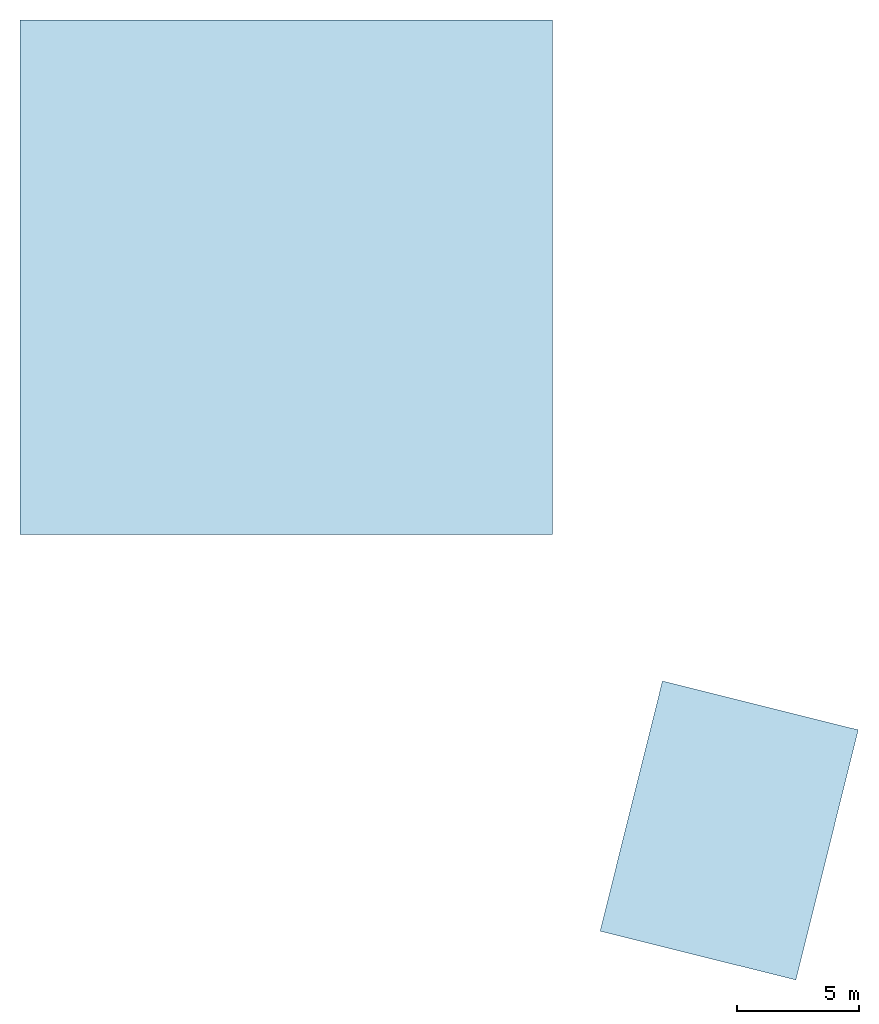
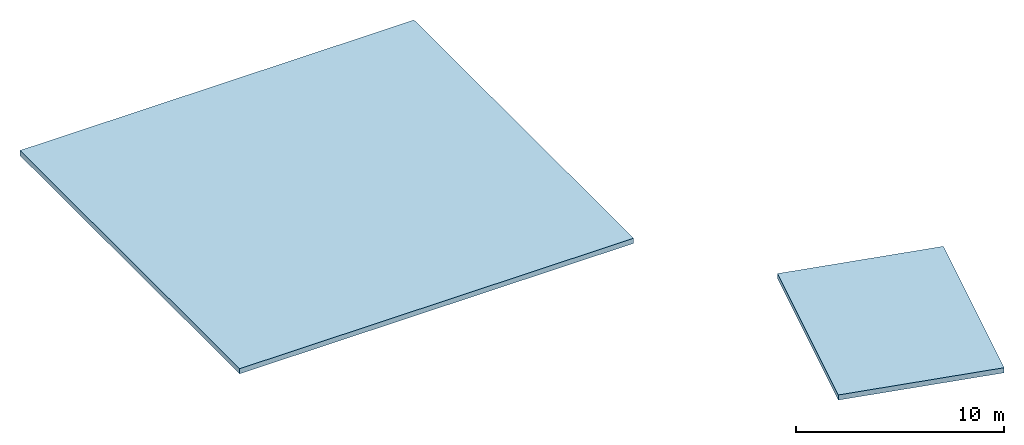
# One storey: 2 slabs.
"""IFC4 building model written with IfcOpenShell, lengths in metres."""

import ifcopenshell
import ifcopenshell.guid

model = None  # the IFC model being written
_history = None  # IfcOwnerHistory: only IFC2X3 demands one
_inside = {}  # id of a spatial element -> (the spatial element, [elements in it])
_under = {}  # id of a project, library or spatial element -> (it, [spatial elements below it])
_declared = {}  # id of a project -> (the project, [libraries it declares])
_typed = {}  # id of a type object -> (the type object, [elements of that type])
_made_of = {}  # id of a material, layer set ... -> (it, [elements and type objects made of it])


def new_model(schema):
    """Start an empty IFC model of exactly this schema.

    Asked for "IFC4X3", IfcOpenShell would pick the latest addendum, in which some entities
    have other attributes; the version numbers below select the first issue.
    IFC2X3 requires an IfcOwnerHistory on every rooted entity: one is made here for all.
    """
    global model, _history
    if schema == "IFC4X3":
        model = ifcopenshell.file(schema_version=(4, 3, 0, 0))
    else:
        model = ifcopenshell.file(schema=schema)
    _inside.clear()
    _under.clear()
    _declared.clear()
    _typed.clear()
    _made_of.clear()
    _history = None
    if model.schema == "IFC2X3":
        org = make("IfcOrganization", Name="unknown")
        user = make(
            "IfcPersonAndOrganization",
            ThePerson=make("IfcPerson", FamilyName="unknown"),
            TheOrganization=org,
        )
        app = make(
            "IfcApplication",
            ApplicationDeveloper=org,
            Version="unknown",
            ApplicationFullName="unknown",
            ApplicationIdentifier="unknown",
        )
        _history = make(
            "IfcOwnerHistory",
            OwningUser=user,
            OwningApplication=app,
            ChangeAction="ADDED",
            CreationDate=0,
        )
    return model


def make(cls, **values):
    """One entity of the class cls with the attributes given. An attribute that is None is left unset."""
    return model.create_entity(
        cls, **{name: value for name, value in values.items() if value is not None}
    )


def rooted(cls, **values):
    """An entity with a GlobalId (a new one), such as an element, a storey or a relation."""
    return make(cls, GlobalId=ifcopenshell.guid.new(), OwnerHistory=_history, **values)


def si_unit(unit_type, name, prefix=None):
    """IfcSIUnit, for example si_unit("LENGTHUNIT", "METRE", prefix="MILLI")."""
    return make("IfcSIUnit", UnitType=unit_type, Prefix=prefix, Name=name)


def assignment(units):
    """IfcUnitAssignment: the units of a project."""
    return None if units is None else make("IfcUnitAssignment", Units=units)


def point(xyz):
    """IfcCartesianPoint."""
    return None if xyz is None else make("IfcCartesianPoint", Coordinates=xyz)


def direction(xyz):
    """IfcDirection."""
    return None if xyz is None else make("IfcDirection", DirectionRatios=xyz)


def frame(location, z_axis=None, x_axis=None):
    """IfcAxis2Placement3D, a coordinate frame: its origin and axes. An axis left out is left unset."""
    return make(
        "IfcAxis2Placement3D",
        Location=point(location),
        Axis=direction(z_axis),
        RefDirection=direction(x_axis),
    )


def origin():
    """The frame at (0, 0, 0) with its axes left unset."""
    return frame((0.0, 0.0, 0.0))


def place(relative_to, where):
    """IfcLocalPlacement: puts the frame where relative to a parent placement (None: the world)."""
    return make(
        "IfcLocalPlacement", PlacementRelTo=relative_to, RelativePlacement=where
    )


def context(
    kind, dimensions, precision=None, world=None, true_north=None, identifier=None
):
    """IfcGeometricRepresentationContext, for example the 3D "Model" context."""
    return make(
        "IfcGeometricRepresentationContext",
        ContextIdentifier=identifier,
        ContextType=kind,
        CoordinateSpaceDimension=dimensions,
        Precision=precision,
        WorldCoordinateSystem=world,
        TrueNorth=true_north,
    )


def subcontext(parent, identifier, kind, view, scale=None):
    """IfcGeometricRepresentationSubContext, for example "Body" below "Model"."""
    return make(
        "IfcGeometricRepresentationSubContext",
        ContextIdentifier=identifier,
        ContextType=kind,
        ParentContext=parent,
        TargetScale=scale,
        TargetView=view,
    )


def project(units=None, contexts=None):
    """IfcProject with its units and contexts."""
    return rooted(
        "IfcProject",
        Name="project",
        RepresentationContexts=contexts,
        UnitsInContext=assignment(units),
    )


def spatial(cls, under=None, at=None, **own):
    """A site, building, storey or space (cls), placed at a placement, below another one or the project."""
    s = rooted(cls, ObjectPlacement=at, **own)
    if under is not None:
        _under.setdefault(under.id(), (under, []))[1].append(s)
    return s


def polyline(points):
    """IfcPolyline through the points."""
    return make("IfcPolyline", Points=[point(p) for p in points])


def outline(outer, holes=None, kind="AREA"):
    """IfcArbitraryClosedProfileDef: a profile drawn as a closed curve; with holes, ...WithVoids."""
    if holes is None:
        return make("IfcArbitraryClosedProfileDef", ProfileType=kind, OuterCurve=outer)
    return make(
        "IfcArbitraryProfileDefWithVoids",
        ProfileType=kind,
        OuterCurve=outer,
        InnerCurves=holes,
    )


def extrude(swept, where, along, depth):
    """IfcExtrudedAreaSolid: the profile swept, set in the frame where, extruded along a direction by depth."""
    return make(
        "IfcExtrudedAreaSolid",
        SweptArea=swept,
        Position=where,
        ExtrudedDirection=direction(along),
        Depth=depth,
    )


def shape(context_of_items, identifier, shape_type, items):
    """IfcShapeRepresentation: the items that make up one representation, for example the "Body"."""
    return make(
        "IfcShapeRepresentation",
        ContextOfItems=context_of_items,
        RepresentationIdentifier=identifier,
        RepresentationType=shape_type,
        Items=items,
    )


def material(Name=None, Category=None):
    """IfcMaterial."""
    return make("IfcMaterial", Name=Name, Category=Category)


def layer(
    of_material, thickness, ventilated=None, Name=None, Category=None, Priority=None
):
    """IfcMaterialLayer: one layer of a wall or slab, of a material (None: an air gap)."""
    return make(
        "IfcMaterialLayer",
        Material=of_material,
        LayerThickness=thickness,
        IsVentilated=ventilated,
        Name=Name,
        Category=Category,
        Priority=Priority,
    )


def layer_set(layers, Name=None):
    """IfcMaterialLayerSet."""
    return make("IfcMaterialLayerSet", MaterialLayers=layers, LayerSetName=Name)


def made_of(thing, what):
    """Note that an element or type object is made of a material, layer set ...; save() writes the relation."""
    if what is not None:
        _made_of.setdefault(what.id(), (what, []))[1].append(thing)
    return thing


def type_object(cls, material=None, **own):
    """A type object (cls), such as IfcWallType, which elements share."""
    return made_of(rooted(cls, **own), material)


def element(
    cls,
    number,
    at=None,
    inside=None,
    cuts=None,
    type_object=None,
    material=None,
    context=None,
    identifier="Body",
    shape_type=None,
    held_by="IfcProductDefinitionShape",
    body=None,
    shapes=None,
    **own,
):
    """One element of the class cls, such as IfcWall. Its Tag is "e" and its number.

    at: its placement. inside: the storey or other place that contains it. cuts: it is an
    opening in that element (IfcRelVoidsElement). A single representation is given by context,
    identifier, shape_type and body (its items); several are given by shapes. held_by: the class
    of the entity that holds the representations. save() writes the other relations.
    """
    e = rooted(cls, Tag="e%d" % number, ObjectPlacement=at, **own)
    if body is not None:
        shapes = [shape(context, identifier, shape_type, body)]
    if shapes is not None:
        e.Representation = make(held_by, Representations=shapes)
    if inside is not None:
        _inside.setdefault(inside.id(), (inside, []))[1].append(e)
    if cuts is not None:
        rooted(
            "IfcRelVoidsElement", RelatingBuildingElement=cuts, RelatedOpeningElement=e
        )
    if type_object is not None:
        _typed.setdefault(type_object.id(), (type_object, []))[1].append(e)
    return made_of(e, material)


def aggregate(whole, parts):
    """IfcRelAggregates: a whole, such as a stair, and the parts it consists of."""
    return rooted("IfcRelAggregates", RelatingObject=whole, RelatedObjects=parts)


def save(model, path):
    """Write the relations noted so far, then the file.

    IfcRelAggregates (storeys below a building ...), IfcRelContainedInSpatialStructure (elements
    in a storey), IfcRelDefinesByType, IfcRelAssociatesMaterial and IfcRelDeclares: one each for
    every whole, place, type object, material and project.
    """
    for whole, parts in _under.values():
        aggregate(whole, parts)
    for where, things in _inside.values():
        rooted(
            "IfcRelContainedInSpatialStructure",
            RelatedElements=things,
            RelatingStructure=where,
        )
    for kind, things in _typed.values():
        rooted("IfcRelDefinesByType", RelatedObjects=things, RelatingType=kind)
    for what, things in _made_of.values():
        rooted("IfcRelAssociatesMaterial", RelatedObjects=things, RelatingMaterial=what)
    for by, libraries in _declared.values():
        rooted("IfcRelDeclares", RelatingContext=by, RelatedDefinitions=libraries)
    model.write(path)


model = new_model("IFC4")

# Units and contexts
model_context = context("Model", 3, precision=1e-05, world=origin(), true_north=direction((0.0, 1.0)))
body_context = subcontext(model_context, "Body", "Model", "MODEL_VIEW")
ifc_project = project(units=[si_unit("LENGTHUNIT", "METRE"), si_unit("AREAUNIT", "SQUARE_METRE"), si_unit("VOLUMEUNIT", "CUBIC_METRE"), si_unit("PLANEANGLEUNIT", "RADIAN"), si_unit("MASSUNIT", "GRAM", prefix="KILO")], contexts=[model_context])

# Site, building, storey
site_placement = place(None, origin())
site = spatial("IfcSite", under=ifc_project, at=site_placement, CompositionType="ELEMENT")
building_placement = place(site_placement, origin())
building = spatial("IfcBuilding", under=site, at=building_placement, Name="Meshkara Civic Tower", CompositionType="ELEMENT")
storey_placement = place(building_placement, frame((0.0, 0.0, 433.5)))
storey = spatial("IfcBuildingStorey", under=building, at=storey_placement, Name="Upper roof", CompositionType="ELEMENT", Elevation=433.5)

# Slabs
ifc_material = material(Name="Concrete C40/50", Category="concrete")
ifc_layer = layer(ifc_material, 0.300048828125)
ifc_layer_set = layer_set([ifc_layer], Name="Core roof slab 300 C40/50")
slab_type = type_object("IfcSlabType", Name="Core roof slab 300 C40/50", PredefinedType="ROOF", material=ifc_layer_set)
slab_1_placement = place(storey_placement, origin())
element("IfcSlab", 1, at=slab_1_placement, inside=storey, type_object=slab_type, Name="Core head-house roof K", PredefinedType="ROOF", context=body_context, shape_type="SweptSolid", body=[
    extrude(outline(polyline([(30.35009765625, 14.550048828125), (30.35009765625, 35.699951171875), (8.449951171875, 35.699951171875), (8.449951171875, 14.550048828125), (30.35009765625, 14.550048828125)])), origin(), (0.0, 0.0, 1.0), 0.300048828125),
])
slab_2_placement = place(storey_placement, origin())
element("IfcSlab", 2, at=slab_2_placement, inside=storey, type_object=slab_type, Name="Core head-house roof EB", PredefinedType="ROOF", context=body_context, shape_type="SweptSolid", body=[
    extrude(outline(polyline([(40.35498046875, -3.77490234375), (42.919921875, 6.510009765625), (34.865966796875, 8.51806640625), (32.302001953125, -1.76708984375), (40.35498046875, -3.77490234375)])), origin(), (0.0, 0.0, 1.0), 0.300048828125),
])

save(model, "model.ifc")
